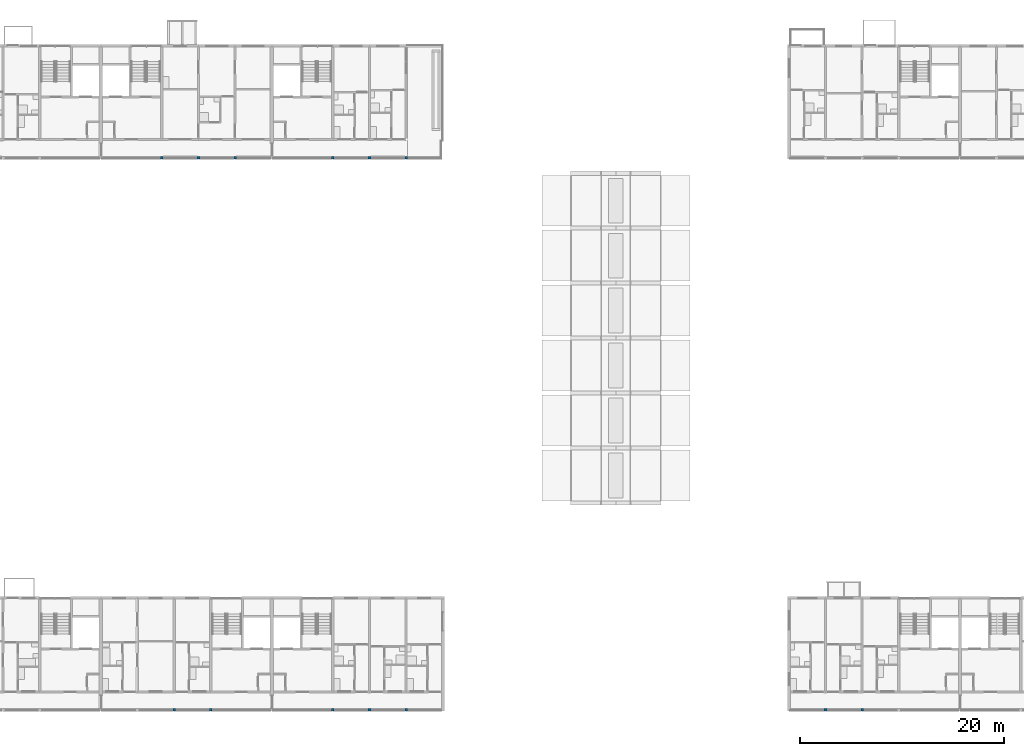
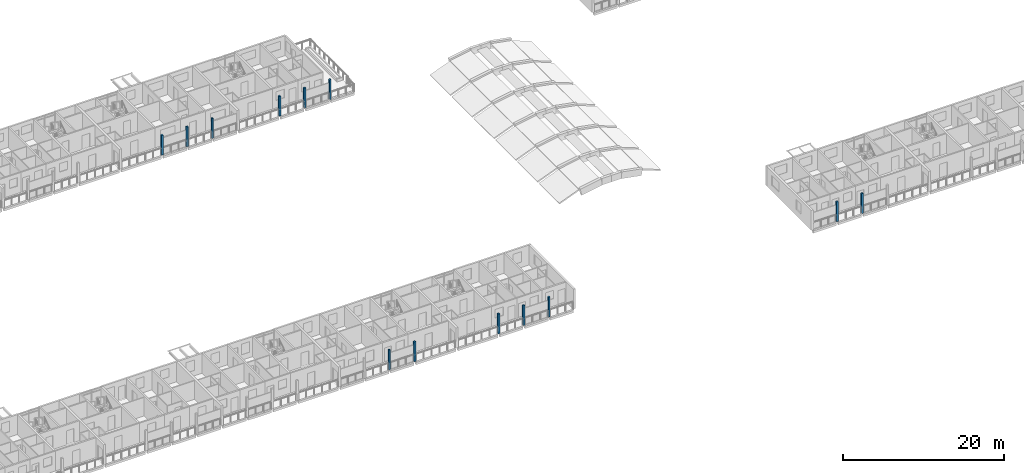
# One storey, part 2 of 93: 13 columns.
"""IFC4 building model written with IfcOpenShell, lengths in metres."""

from ifc_helpers import new_model, si_unit, direction, frame, origin, origin_2d, place, context, subcontext, project, spatial, rectangle, extrude, material, material_profile, profile_set, type_object, element, save


model = new_model("IFC4")

# Units and contexts
model_context = context("Model", 3, precision=1e-05, world=origin(), true_north=direction((0.0, 1.0)))
body_context = subcontext(model_context, "Body", "Model", "MODEL_VIEW")
ifc_project = project(units=[si_unit("LENGTHUNIT", "METRE"), si_unit("AREAUNIT", "SQUARE_METRE"), si_unit("VOLUMEUNIT", "CUBIC_METRE"), si_unit("PLANEANGLEUNIT", "RADIAN"), si_unit("MASSUNIT", "GRAM", prefix="KILO")], contexts=[model_context])

# Site, building, storey
site_placement = place(None, origin())
site = spatial("IfcSite", under=ifc_project, at=site_placement, CompositionType="ELEMENT")
building_placement = place(site_placement, origin())
building = spatial("IfcBuilding", under=site, at=building_placement, Name="Ridgestep Commons", CompositionType="ELEMENT")
storey_placement = place(building_placement, frame((0.0, 0.0, 18.0)))
storey = spatial("IfcBuildingStorey", under=building, at=storey_placement, Name="L06", CompositionType="ELEMENT", Elevation=18.0)

# Columns
ifc_material = material(Name="Precast concrete C40/50", Category="concrete")
ifc_material_profile = material_profile(ifc_material, rectangle(XDim=0.25, YDim=0.25, at=origin_2d()), Name="PC 250x250")
ifc_profile_set = profile_set([ifc_material_profile], Name="Precast concrete C40/50")
column_type = type_object("IfcColumnType", Name="Loggia column 250 x 250", PredefinedType="COLUMN", material=ifc_profile_set)
for number, where, z_axis, x_axis, name in (
    (1, (86.39990234375, 11.875, 0.0), (0.0, 0.0, 1.0), (1.0, 0.0, 0.0), "Loggia column A L06"),
    (2, (90.0, 11.875, 0.0), (0.0, 0.0, 1.0), (1.0, 0.0, 0.0), "Loggia column A L06"),
    (3, (102.0, 11.875, 0.0), (0.0, 0.0, 1.0), (1.0, 0.0, 0.0), "Loggia column A L06"),
    (4, (105.60009765625, 11.875, 0.0), (0.0, 0.0, 1.0), (1.0, 0.0, 0.0), "Loggia column A L06"),
    (5, (109.199951171875, 11.875, 0.0), (0.0, 0.0, 1.0), (1.0, 0.0, 0.0), "Loggia column A L06"),
    (6, (85.199951171875, 66.125, 0.0), (0.0, 0.0, 1.0), (1.0, 0.0, 0.0), "Loggia column B L06"),
    (7, (88.800048828125, 66.125, 0.0), (0.0, 0.0, 1.0), (1.0, 0.0, 0.0), "Loggia column B L06"),
    (8, (92.39990234375, 66.125, 0.0), (0.0, 0.0, 1.0), (1.0, 0.0, 0.0), "Loggia column B L06"),
    (9, (102.0, 66.125, 0.0), (0.0, 0.0, 1.0), (1.0, 0.0, 0.0), "Loggia column B L06"),
    (10, (105.60009765625, 66.125, 0.0), (0.0, 0.0, 1.0), (1.0, 0.0, 0.0), "Loggia column B L06"),
    (11, (109.199951171875, 66.125, 0.0), (0.0, 0.0, 1.0), (1.0, 0.0, 0.0), "Loggia column B L06"),
    (12, (150.39990234375, 11.875, 0.0), (0.0, 0.0, 1.0), (1.0, 0.0, 0.0), "Loggia column D L06"),
    (13, (154.0, 11.875, 0.0), (0.0, 0.0, 1.0), (1.0, 0.0, 0.0), "Loggia column D L06"),
):
    element("IfcColumn", number, at=place(storey_placement, frame(where, z_axis=z_axis, x_axis=x_axis)), inside=storey, type_object=column_type, Name=name, PredefinedType="COLUMN", context=body_context, shape_type="SweptSolid", body=[
        extrude(rectangle(XDim=0.25, YDim=0.25, at=origin_2d()), origin(), (0.0, 0.0, 1.0), 3.0),
    ])

save(model, "model.ifc")
